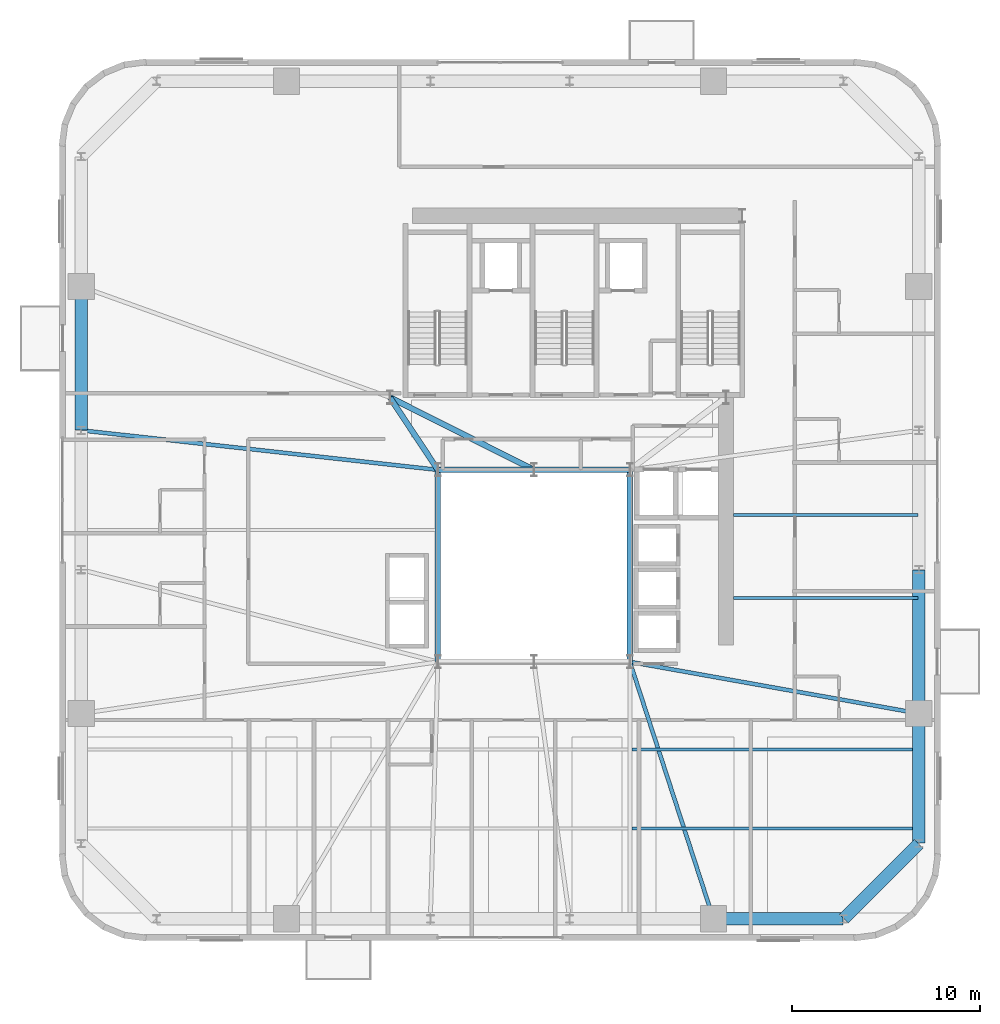
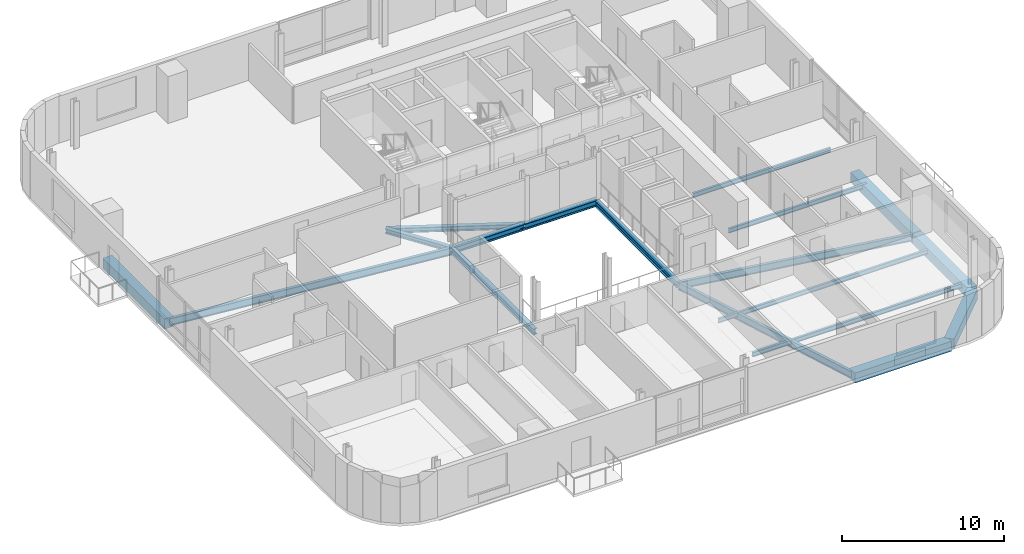
# One storey, part 4 of 16: 18 beams.
"""IFC4 building model written with IfcOpenShell, lengths in metres."""

from ifc_helpers import new_model, si_unit, direction, frame, origin, origin_2d, place, context, subcontext, project, spatial, rectangle, i_section, extrude, source, transform, mapped, material, material_profile, profile_set, type_object, element, save


model = new_model("IFC4")

# Units and contexts
model_context = context("Model", 3, precision=1e-05, world=origin(), true_north=direction((0.0, 1.0)))
body_context = subcontext(model_context, "Body", "Model", "MODEL_VIEW")
ifc_project = project(units=[si_unit("LENGTHUNIT", "METRE"), si_unit("AREAUNIT", "SQUARE_METRE"), si_unit("VOLUMEUNIT", "CUBIC_METRE"), si_unit("PLANEANGLEUNIT", "RADIAN"), si_unit("MASSUNIT", "GRAM", prefix="KILO")], contexts=[model_context])

# Site, building, storey
site_placement = place(None, origin())
site = spatial("IfcSite", under=ifc_project, at=site_placement, CompositionType="ELEMENT")
building_placement = place(site_placement, origin())
building = spatial("IfcBuilding", under=site, at=building_placement, Name="Vardaveli Station Tower", CompositionType="ELEMENT")
storey_placement = place(building_placement, frame((0.0, 0.0, 211.050048828125)))
storey = spatial("IfcBuildingStorey", under=building, at=storey_placement, Name="L54", CompositionType="ELEMENT", Elevation=211.050048828125)

# Beams
ifc_material_1 = material(Name="Structural steel S355J2", Category="steel")
ifc_material_profile_1 = material_profile(ifc_material_1, i_section(OverallWidth=0.300048828125, OverallDepth=0.449951171875, WebThickness=0.013916015625, FlangeThickness=0.02587890625, FilletRadius=0.027099609375, at=origin_2d()), Name="HEB 450")
ifc_profile_set_1 = profile_set([ifc_material_profile_1], Name="Structural steel S355J2")
beam_type_1 = type_object("IfcBeamType", Name="BM-HEB450", PredefinedType="BEAM", material=ifc_profile_set_1)
shared_shape_1 = source(origin(), body_context, "Body", "SweptSolid", [
    extrude(i_section(OverallWidth=0.300048828125, OverallDepth=0.449951171875, WebThickness=0.013916015625, FlangeThickness=0.02587890625, FilletRadius=0.027099609375, at=origin_2d()), origin(), (0.0, 0.0, 1.0), 5.06005859375),
])
beam_1_placement = place(storey_placement, frame((36.280029296875, 26.800048828125, -0.445068359375), z_axis=(-1.0, 0.0, 0.0), x_axis=(0.0, -1.0, 0.0)))
element("IfcBeam", 1, at=beam_1_placement, inside=storey, type_object=beam_type_1, Name="ABM-L54-05", PredefinedType="BEAM", context=body_context, shape_type="MappedRepresentation", body=[
    mapped(shared_shape_1, transform((0.0, 0.0, 0.0), scale=1.0)),
])
shared_shape_2 = source(origin(), body_context, "Body", "SweptSolid", [
    extrude(i_section(OverallWidth=0.300048828125, OverallDepth=0.449951171875, WebThickness=0.013916015625, FlangeThickness=0.02587890625, FilletRadius=0.027099609375, at=origin_2d()), origin(), (0.0, 0.0, 1.0), 5.059814453125),
])
beam_2_placement = place(storey_placement, frame((41.3798828125, 26.800048828125, -0.445068359375), z_axis=(-1.0, 0.0, 0.0), x_axis=(0.0, -1.0, 0.0)))
element("IfcBeam", 2, at=beam_2_placement, inside=storey, type_object=beam_type_1, Name="ABM-L54-04", PredefinedType="BEAM", context=body_context, shape_type="MappedRepresentation", body=[
    mapped(shared_shape_2, transform((0.0, 0.0, 0.0), scale=1.0)),
])
shared_shape_3 = source(origin(), body_context, "Body", "SweptSolid", [
    extrude(i_section(OverallWidth=0.300048828125, OverallDepth=0.449951171875, WebThickness=0.013916015625, FlangeThickness=0.02587890625, FilletRadius=0.027099609375, at=origin_2d()), origin(), (0.0, 0.0, 1.0), 10.159912109375),
])
for number, where, z_axis, x_axis, name in (
    (3, (41.39990234375, 16.6201171875, -0.445068359375), (0.0, 1.0, 0.0), (-1.0, 0.0, 0.0), "ABM-L54-03"),
    (4, (31.199951171875, 26.780029296875, -0.445068359375), (0.0, -1.0, 0.0), (1.0, 0.0, 0.0), "ABM-L54-06"),
):
    element("IfcBeam", number, at=place(storey_placement, frame(where, z_axis=z_axis, x_axis=x_axis)), inside=storey, type_object=beam_type_1, Name=name, PredefinedType="BEAM", context=body_context, shape_type="MappedRepresentation", body=[
        mapped(shared_shape_3, transform((0.0, 0.0, 0.0), scale=1.0)),
    ])
ifc_material_profile_2 = material_profile(ifc_material_1, i_section(OverallWidth=0.300048828125, OverallDepth=0.360107421875, WebThickness=0.012451171875, FlangeThickness=0.0224609375, FilletRadius=0.027099609375, at=origin_2d()), Name="HEB 360")
ifc_profile_set_2 = profile_set([ifc_material_profile_2], Name="Structural steel S355J2")
beam_type_2 = type_object("IfcBeamType", Name="BM-HEB360", PredefinedType="BEAM", material=ifc_profile_set_2)
shared_shape_4 = source(origin(), body_context, "Body", "SweptSolid", [
    extrude(i_section(OverallWidth=0.300048828125, OverallDepth=0.360107421875, WebThickness=0.012451171875, FlangeThickness=0.0224609375, FilletRadius=0.027099609375, at=origin_2d()), origin(), (0.0, 0.0, 1.0), 4.577880859375),
])
beam_3_placement = place(storey_placement, frame((31.18896484375, 26.816650390625, -0.400146484375), z_axis=(-0.55218702139, 0.833720272879, 0.0), x_axis=(-0.833720272879, -0.55218702139, 0.0)))
element("IfcBeam", 5, at=beam_3_placement, inside=storey, type_object=beam_type_2, Name="CBM-L54-01", PredefinedType="BEAM", context=body_context, shape_type="MappedRepresentation", body=[
    mapped(shared_shape_4, transform((0.0, 0.0, 0.0), scale=1.0)),
])
shared_shape_5 = source(origin(), body_context, "Body", "SweptSolid", [
    extrude(i_section(OverallWidth=0.300048828125, OverallDepth=0.360107421875, WebThickness=0.012451171875, FlangeThickness=0.0224609375, FilletRadius=0.027099609375, at=origin_2d()), origin(), (0.0, 0.0, 1.0), 8.524169921875),
])
beam_4_placement = place(storey_placement, frame((28.66796875, 30.64111328125, -0.400146484375), z_axis=(0.893255584708, -0.449549174605, 0.0), x_axis=(0.449549174605, 0.893255584708, 0.0)))
element("IfcBeam", 6, at=beam_4_placement, inside=storey, type_object=beam_type_2, Name="CBM-L54-03", PredefinedType="BEAM", context=body_context, shape_type="MappedRepresentation", body=[
    mapped(shared_shape_5, transform((0.0, 0.0, 0.0), scale=1.0)),
])
ifc_material_2 = material(Name="Precast concrete C45/55", Category="concrete")
ifc_material_profile_3 = material_profile(ifc_material_2, rectangle(XDim=0.64990234375, YDim=0.75, at=origin_2d()), Name="LPB 650x750")
ifc_profile_set_3 = profile_set([ifc_material_profile_3], Name="Precast concrete C45/55")
beam_type_3 = type_object("IfcBeamType", Name="BM-LPB-750", PredefinedType="BEAM", material=ifc_profile_set_3)
shared_shape_6 = source(origin(), body_context, "Body", "SweptSolid", [
    extrude(rectangle(XDim=0.64990234375, YDim=0.75, at=origin_2d()), origin(), (0.0, 0.0, 1.0), 7.60009765625),
])
for number, where, z_axis, x_axis, name in (
    (7, (56.75, 13.8798828125, -0.594970703125), (0.0, 1.0, 0.0), (-1.0, 0.0, 0.0), "RBM-L54-07"),
    (8, (12.25, 36.52001953125, -0.594970703125), (0.0, -1.0, 0.0), (1.0, 0.0, 0.0), "RBM-L54-19"),
):
    element("IfcBeam", number, at=place(storey_placement, frame(where, z_axis=z_axis, x_axis=x_axis)), inside=storey, type_object=beam_type_3, Name=name, PredefinedType="BEAM", context=body_context, shape_type="MappedRepresentation", body=[
        mapped(shared_shape_6, transform((0.0, 0.0, 0.0), scale=1.0)),
    ])
shared_shape_7 = source(origin(), body_context, "Body", "SweptSolid", [
    extrude(rectangle(XDim=0.64990234375, YDim=0.75, at=origin_2d()), origin(), (0.0, 0.0, 1.0), 6.869873046875),
])
beam_5_placement = place(storey_placement, frame((45.860107421875, 2.949951171875, -0.594970703125), z_axis=(1.0, 0.0, 0.0), x_axis=(0.0, 1.0, 0.0)))
element("IfcBeam", 9, at=beam_5_placement, inside=storey, type_object=beam_type_3, Name="RBM-L54-04", PredefinedType="BEAM", context=body_context, shape_type="MappedRepresentation", body=[
    mapped(shared_shape_7, transform((0.0, 0.0, 0.0), scale=1.0)),
])
shared_shape_8 = source(origin(), body_context, "Body", "SweptSolid", [
    extrude(rectangle(XDim=0.64990234375, YDim=0.75, at=origin_2d()), origin(), (0.0, 0.0, 1.0), 5.61669921875),
])
beam_6_placement = place(storey_placement, frame((52.76416015625, 2.964111328125, -0.594970703125), z_axis=(0.707106781187, 0.707106781187, 0.0), x_axis=(-0.707106781187, 0.707106781187, 0.0)))
element("IfcBeam", 10, at=beam_6_placement, inside=storey, type_object=beam_type_3, Name="RBM-L54-05", PredefinedType="BEAM", context=body_context, shape_type="MappedRepresentation", body=[
    mapped(shared_shape_8, transform((0.0, 0.0, 0.0), scale=1.0)),
])
shared_shape_9 = source(origin(), body_context, "Body", "SweptSolid", [
    extrude(rectangle(XDim=0.64990234375, YDim=0.75, at=origin_2d()), origin(), (0.0, 0.0, 1.0), 6.8701171875),
])
beam_7_placement = place(storey_placement, frame((56.75, 6.969970703125, -0.594970703125), z_axis=(0.0, 1.0, 0.0), x_axis=(-1.0, 0.0, 0.0)))
element("IfcBeam", 11, at=beam_7_placement, inside=storey, type_object=beam_type_3, Name="RBM-L54-06", PredefinedType="BEAM", context=body_context, shape_type="MappedRepresentation", body=[
    mapped(shared_shape_9, transform((0.0, 0.0, 0.0), scale=1.0)),
])
ifc_material_profile_4 = material_profile(ifc_material_1, i_section(OverallWidth=0.159912109375, OverallDepth=0.330078125, WebThickness=0.007568359375, FlangeThickness=0.011474609375, FilletRadius=0.01806640625, at=origin_2d()), Name="IPE 330")
ifc_profile_set_4 = profile_set([ifc_material_profile_4], Name="Structural steel S355J2")
beam_type_4 = type_object("IfcBeamType", Name="BM-IPE330", PredefinedType="JOIST", material=ifc_profile_set_4)
shared_shape_10 = source(origin(), body_context, "Body", "SweptSolid", [
    extrude(i_section(OverallWidth=0.159912109375, OverallDepth=0.330078125, WebThickness=0.007568359375, FlangeThickness=0.011474609375, FilletRadius=0.01806640625, at=origin_2d()), origin(), (0.0, 0.0, 1.0), 15.197998046875),
])
for number, where, z_axis, x_axis, name in (
    (12, (41.511962890625, 7.75, -0.385009765625), (1.0, 0.0, 0.0), (0.0, 1.0, 0.0), "SJ-L54-S02"),
    (13, (41.511962890625, 11.949951171875, -0.385009765625), (1.0, 0.0, 0.0), (0.0, 1.0, 0.0), "SJ-L54-S04"),
):
    element("IfcBeam", number, at=place(storey_placement, frame(where, z_axis=z_axis, x_axis=x_axis)), inside=storey, type_object=beam_type_4, Name=name, PredefinedType="JOIST", context=body_context, shape_type="MappedRepresentation", body=[
        mapped(shared_shape_10, transform((0.0, 0.0, 0.0), scale=1.0)),
    ])
shared_shape_11 = source(origin(), body_context, "Body", "SweptSolid", [
    extrude(i_section(OverallWidth=0.159912109375, OverallDepth=0.330078125, WebThickness=0.007568359375, FlangeThickness=0.011474609375, FilletRadius=0.01806640625, at=origin_2d()), origin(), (0.0, 0.0, 1.0), 9.804931640625),
])
for number, where, z_axis, x_axis, name in (
    (14, (46.905029296875, 20.0, -0.385009765625), (1.0, 0.0, 0.0), (0.0, 1.0, 0.0), "SJ-L54-E07"),
    (15, (46.905029296875, 24.39990234375, -0.385009765625), (1.0, 0.0, 0.0), (0.0, 1.0, 0.0), "SJ-L54-E08"),
):
    element("IfcBeam", number, at=place(storey_placement, frame(where, z_axis=z_axis, x_axis=x_axis)), inside=storey, type_object=beam_type_4, Name=name, PredefinedType="JOIST", context=body_context, shape_type="MappedRepresentation", body=[
        mapped(shared_shape_11, transform((0.0, 0.0, 0.0), scale=1.0)),
    ])
ifc_material_profile_5 = material_profile(ifc_material_1, i_section(OverallWidth=0.2099609375, OverallDepth=0.550048828125, WebThickness=0.010986328125, FlangeThickness=0.01708984375, FilletRadius=0.02392578125, at=origin_2d()), Name="IPE 550")
ifc_profile_set_5 = profile_set([ifc_material_profile_5], Name="Structural steel S355J2")
beam_type_5 = type_object("IfcBeamType", Name="BM-IPE550", PredefinedType="BEAM", material=ifc_profile_set_5)
shared_shape_12 = source(origin(), body_context, "Body", "SweptSolid", [
    extrude(i_section(OverallWidth=0.2099609375, OverallDepth=0.550048828125, WebThickness=0.010986328125, FlangeThickness=0.01708984375, FilletRadius=0.02392578125, at=origin_2d()), origin(), (0.0, 0.0, 1.0), 14.31396484375),
])
beam_8_placement = place(storey_placement, frame((45.833740234375, 2.968994140625, -0.4951171875), z_axis=(-0.309311678023, 0.950960717295, 0.0), x_axis=(-0.950960717295, -0.309311678023, 0.0)))
element("IfcBeam", 16, at=beam_8_placement, inside=storey, type_object=beam_type_5, Name="GBM-L54-04", PredefinedType="BEAM", context=body_context, shape_type="MappedRepresentation", body=[
    mapped(shared_shape_12, transform((0.0, 0.0, 0.0), scale=1.0)),
])
shared_shape_13 = source(origin(), body_context, "Body", "SweptSolid", [
    extrude(i_section(OverallWidth=0.2099609375, OverallDepth=0.550048828125, WebThickness=0.010986328125, FlangeThickness=0.01708984375, FilletRadius=0.02392578125, at=origin_2d()), origin(), (0.0, 0.0, 1.0), 15.552490234375),
])
beam_9_placement = place(storey_placement, frame((56.730224609375, 13.863525390625, -0.4951171875), z_axis=(-0.984439991578, 0.1757210943, 0.0), x_axis=(-0.1757210943, -0.984439991578, 0.0)))
element("IfcBeam", 17, at=beam_9_placement, inside=storey, type_object=beam_type_5, Name="GBM-L54-05", PredefinedType="BEAM", context=body_context, shape_type="MappedRepresentation", body=[
    mapped(shared_shape_13, transform((0.0, 0.0, 0.0), scale=1.0)),
])
shared_shape_14 = source(origin(), body_context, "Body", "SweptSolid", [
    extrude(i_section(OverallWidth=0.2099609375, OverallDepth=0.550048828125, WebThickness=0.010986328125, FlangeThickness=0.01708984375, FilletRadius=0.02392578125, at=origin_2d()), origin(), (0.0, 0.0, 1.0), 19.026123046875),
])
beam_10_placement = place(storey_placement, frame((12.269775390625, 28.897705078125, -0.4951171875), z_axis=(0.993916552721, -0.110135762707, 0.0), x_axis=(0.110135762707, 0.993916552721, 0.0)))
element("IfcBeam", 18, at=beam_10_placement, inside=storey, type_object=beam_type_5, Name="GBM-L54-08", PredefinedType="BEAM", context=body_context, shape_type="MappedRepresentation", body=[
    mapped(shared_shape_14, transform((0.0, 0.0, 0.0), scale=1.0)),
])

save(model, "model.ifc")
